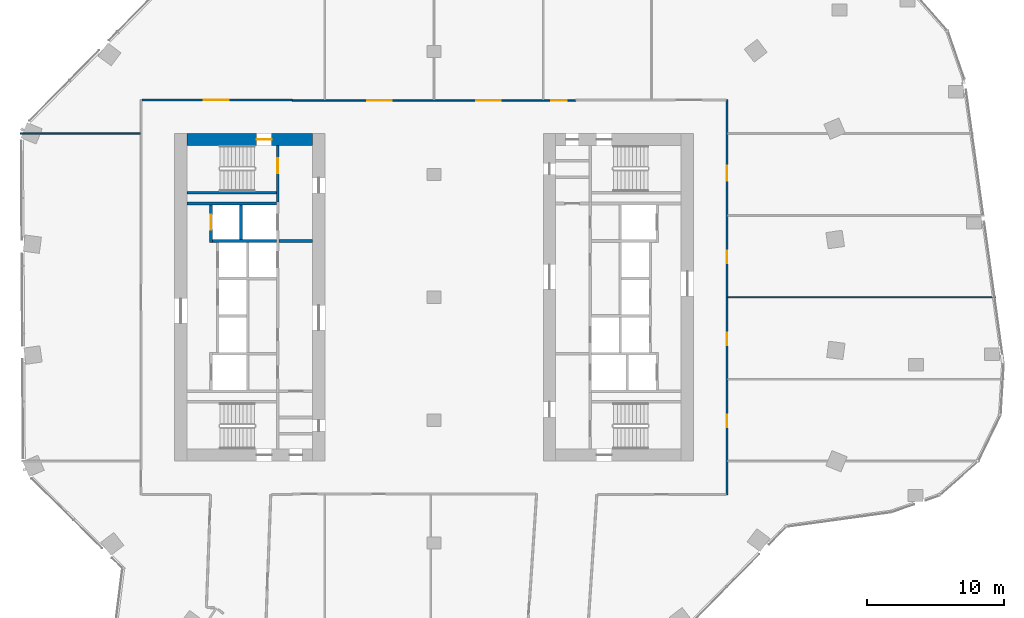
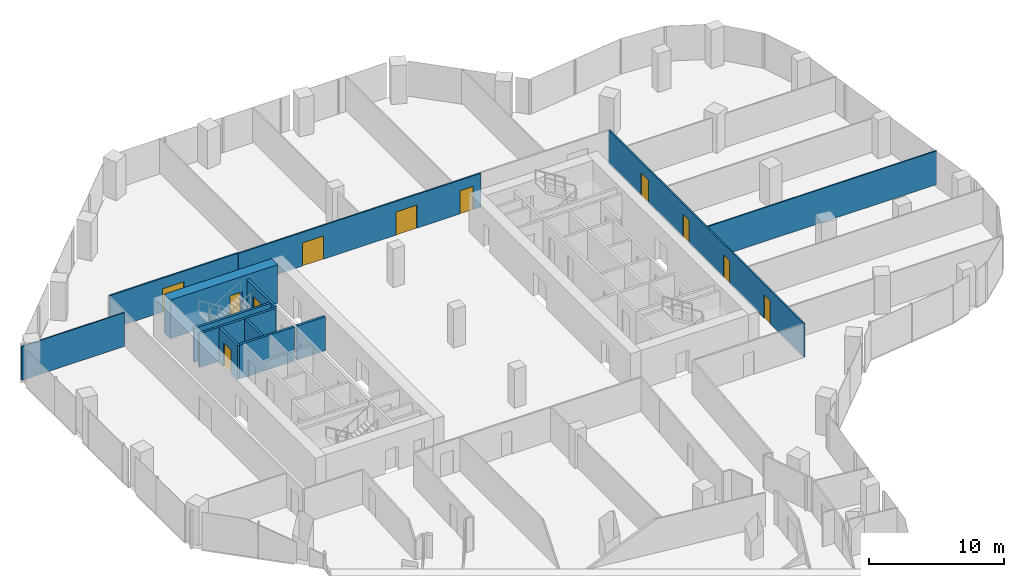
# One storey, part 22 of 27: 13 walls, 11 doors, 11 openings.
"""IFC4 building model written with IfcOpenShell, lengths in metres."""

from ifc_helpers import new_model, si_unit, direction, frame, frame_2d, origin, place, context, subcontext, project, spatial, rectangle, extrude, material, layer, layer_set, type_object, element, fill, save


model = new_model("IFC4")

# Units and contexts
model_context = context("Model", 3, precision=1e-05, world=origin(), true_north=direction((0.0, 1.0)))
body_context = subcontext(model_context, "Body", "Model", "MODEL_VIEW")
ifc_project = project(units=[si_unit("LENGTHUNIT", "METRE"), si_unit("AREAUNIT", "SQUARE_METRE"), si_unit("VOLUMEUNIT", "CUBIC_METRE"), si_unit("PLANEANGLEUNIT", "RADIAN"), si_unit("MASSUNIT", "GRAM", prefix="KILO")], contexts=[model_context])

# Site, building, storey
site_placement = place(None, origin())
site = spatial("IfcSite", under=ifc_project, at=site_placement, CompositionType="ELEMENT")
building_placement = place(site_placement, origin())
building = spatial("IfcBuilding", under=site, at=building_placement, Name="Orlundy Tower", CompositionType="ELEMENT")
storey_placement = place(building_placement, frame((0.0, 0.0, 192.10009765625)))
storey = spatial("IfcBuildingStorey", under=building, at=storey_placement, Name="L50", CompositionType="ELEMENT", Elevation=192.10009765625)

# Wall, opening, door
ifc_material_1 = material(Name="Concrete C70/85", Category="concrete")
ifc_layer_1 = layer(ifc_material_1, 0.89990234375)
ifc_layer_set_1 = layer_set([ifc_layer_1], Name="CORE WALL 900 C70/85")
wall_type_1 = type_object("IfcWallType", Name="CORE WALL 900 C70/85", PredefinedType="SHEAR", material=ifc_layer_set_1)
wall_1_placement = place(storey_placement, frame((-18.10009765625, 11.550048828125, 0.0), z_axis=(0.0, 0.0, 1.0), x_axis=(1.0, 0.0, 0.0)))
wall_1 = element("IfcWall", 1, at=wall_1_placement, inside=storey, type_object=wall_type_1, Name="Core wall W-N L50", PredefinedType="SHEAR", context=body_context, shape_type="SweptSolid", body=[
    extrude(rectangle(XDim=9.2001953125, YDim=0.89990234375, at=frame_2d((4.60009765625, 0.0))), origin(), (0.0, 0.0, 1.0), 3.5),
])
opening_1_placement = place(wall_1_placement, frame((5.10009765625, 0.0, 0.0)))
opening_1 = element("IfcOpeningElement", 2, at=opening_1_placement, cuts=wall_1, Name="Opening 39012", PredefinedType="OPENING", context=body_context, shape_type="SweptSolid", body=[
    extrude(rectangle(XDim=1.10009765625, YDim=2.10009765625, at=frame_2d((0.550048828125, 1.050048828125))), frame((0.0, 0.4599609375, 0.0), z_axis=(0.0, -1.0, 0.0), x_axis=(1.0, 0.0, 0.0)), (0.0, 0.0, 1.0), 0.919921875),
])
ifc_material_2 = material(Name="Steel door set", Category="steel")
door_type_1 = type_object("IfcDoorType", Name="Stair Door 1100x2100", OperationType="SINGLE_SWING_LEFT", PredefinedType="DOOR", material=ifc_material_2)
door_1_placement = place(opening_1_placement, origin())
door_1 = element("IfcDoor", 3, at=door_1_placement, inside=storey, type_object=door_type_1, Name="Stair door 39012", OperationType="SINGLE_SWING_RIGHT", OverallHeight=2.10009765625, OverallWidth=1.10009765625, PredefinedType="DOOR", context=body_context, shape_type="SweptSolid", body=[
    extrude(rectangle(XDim=1.10009765625, YDim=2.10009765625, at=frame_2d((0.550048828125, 1.050048828125))), frame((0.0, 0.02490234375, 0.0), z_axis=(0.0, -1.0, 0.0), x_axis=(1.0, 0.0, 0.0)), (0.0, 0.0, 1.0), 0.050048828125),
])
fill(opening_1, door_1)

# Walls
ifc_material_3 = material(Name="Gypsum board partition")
ifc_layer_2 = layer(ifc_material_3, 0.10009765625)
ifc_layer_set_2 = layer_set([ifc_layer_2], Name="Floor partition 100")
wall_type_2 = type_object("IfcWallType", Name="Floor partition 100", PredefinedType="PARTITIONING", material=ifc_layer_set_2)
wall_2_placement = place(storey_placement, frame((21.511962890625, 0.0, 0.0), z_axis=(0.0, 0.0, 1.0), x_axis=(1.0, 0.0, 0.0)))
element("IfcWall", 4, at=wall_2_placement, inside=storey, type_object=wall_type_2, Name="wall-int-L50-036", PredefinedType="PARTITIONING", context=body_context, shape_type="SweptSolid", body=[
    extrude(rectangle(XDim=19.6220703125, YDim=0.10009765625, at=frame_2d((9.81103515625, 0.0))), origin(), (0.0, 0.0, 1.0), 3.059814453125),
])
wall_3_placement = place(storey_placement, frame((-30.321044921875, 12.0, 0.0), z_axis=(0.0, 0.0, 1.0), x_axis=(1.0, 0.0, 0.0)))
element("IfcWall", 5, at=wall_3_placement, inside=storey, type_object=wall_type_2, Name="wall-int-L50-038", PredefinedType="PARTITIONING", context=body_context, shape_type="SweptSolid", body=[
    extrude(rectangle(XDim=8.80908203125, YDim=0.10009765625, at=frame_2d((4.404541015625, 0.0))), origin(), (0.0, 0.0, 1.0), 3.059814453125),
])

# Wall, openings, doors
ifc_material_4 = material(Name="Gypsum board partition, double layer")
ifc_layer_3 = layer(ifc_material_4, 0.125)
ifc_layer_set_3 = layer_set([ifc_layer_3], Name="Floor partition 125")
wall_type_3 = type_object("IfcWallType", Name="Floor partition 125", PredefinedType="PARTITIONING", material=ifc_layer_set_3)
wall_4_placement = place(storey_placement, frame((-10.389892578125, 14.40087890625, 0.0), z_axis=(0.0, 0.0, 1.0), x_axis=(1.0, 0.0, 0.0)))
wall_4 = element("IfcWall", 6, at=wall_4_placement, inside=storey, type_object=wall_type_3, Name="wall-int-L50-040", PredefinedType="PARTITIONING", context=body_context, shape_type="SweptSolid", body=[
    extrude(rectangle(XDim=20.781005859375, YDim=0.125, at=frame_2d((10.390625, 0.0))), origin(), (0.0, 0.0, 1.0), 3.059814453125),
])
opening_2_placement = place(wall_4_placement, frame((18.989990234375, 0.0, 0.0)))
opening_2 = element("IfcOpeningElement", 7, at=opening_2_placement, cuts=wall_4, Name="Opening 39123", PredefinedType="OPENING", context=body_context, shape_type="SweptSolid", body=[
    extrude(rectangle(XDim=1.10009765625, YDim=2.10009765625, at=frame_2d((0.550048828125, 1.050048828125))), frame((0.0, 0.072509765625, 0.0), z_axis=(0.0, -1.0, 0.0), x_axis=(1.0, 0.0, 0.0)), (0.0, 0.0, 1.0), 0.14501953125),
])
opening_3_placement = place(wall_4_placement, frame((13.489990234375, 0.0, 0.0)))
opening_3 = element("IfcOpeningElement", 8, at=opening_3_placement, cuts=wall_4, Name="Opening 39124", PredefinedType="OPENING", context=body_context, shape_type="SweptSolid", body=[
    extrude(rectangle(XDim=1.800048828125, YDim=2.10009765625, at=frame_2d((0.89990234375, 1.050048828125))), frame((0.0, 0.072509765625, 0.0), z_axis=(0.0, -1.0, 0.0), x_axis=(1.0, 0.0, 0.0)), (0.0, 0.0, 1.0), 0.14501953125),
])
opening_4_placement = place(wall_4_placement, frame((5.489990234375, 0.0, 0.0)))
opening_4 = element("IfcOpeningElement", 9, at=opening_4_placement, cuts=wall_4, Name="Opening 39125", PredefinedType="OPENING", context=body_context, shape_type="SweptSolid", body=[
    extrude(rectangle(XDim=1.800048828125, YDim=2.10009765625, at=frame_2d((0.89990234375, 1.050048828125))), frame((0.0, 0.072509765625, 0.0), z_axis=(0.0, -1.0, 0.0), x_axis=(1.0, 0.0, 0.0)), (0.0, 0.0, 1.0), 0.14501953125),
])
ifc_material_5 = material(Name="Timber door leaf", Category="wood")
door_type_2 = type_object("IfcDoorType", Name="Floor door double 1800 FD30S", OperationType="NOTDEFINED", PredefinedType="DOOR", material=ifc_material_5)
door_2_placement = place(opening_3_placement, origin())
door_2 = element("IfcDoor", 10, at=door_2_placement, inside=storey, type_object=door_type_2, Name="Door 39124", OperationType="DOUBLE_DOOR_SINGLE_SWING", OverallHeight=2.10009765625, OverallWidth=1.800048828125, PredefinedType="DOOR", context=body_context, shape_type="SweptSolid", body=[
    extrude(rectangle(XDim=1.800048828125, YDim=2.10009765625, at=frame_2d((0.89990234375, 1.050048828125))), frame((0.0, 0.02490234375, 0.0), z_axis=(0.0, -1.0, 0.0), x_axis=(1.0, 0.0, 0.0)), (0.0, 0.0, 1.0), 0.050048828125),
])
fill(opening_3, door_2)
door_3_placement = place(opening_4_placement, origin())
door_3 = element("IfcDoor", 11, at=door_3_placement, inside=storey, type_object=door_type_2, Name="Door 39125", OperationType="DOUBLE_DOOR_SINGLE_SWING", OverallHeight=2.10009765625, OverallWidth=1.800048828125, PredefinedType="DOOR", context=body_context, shape_type="SweptSolid", body=[
    extrude(rectangle(XDim=1.800048828125, YDim=2.10009765625, at=frame_2d((0.89990234375, 1.050048828125))), frame((0.0, 0.02490234375, 0.0), z_axis=(0.0, -1.0, 0.0), x_axis=(1.0, 0.0, 0.0)), (0.0, 0.0, 1.0), 0.050048828125),
])
fill(opening_4, door_3)
ifc_material_6 = material(Name="Timber door leaf", Category="wood")
door_type_3 = type_object("IfcDoorType", Name="Floor door xwide 1100 FD30S", OperationType="NOTDEFINED", PredefinedType="DOOR", material=ifc_material_6)
door_4_placement = place(opening_2_placement, origin())
door_4 = element("IfcDoor", 12, at=door_4_placement, inside=storey, type_object=door_type_3, Name="Door 39123", OperationType="SINGLE_SWING_RIGHT", OverallHeight=2.10009765625, OverallWidth=1.10009765625, PredefinedType="DOOR", context=body_context, shape_type="SweptSolid", body=[
    extrude(rectangle(XDim=1.10009765625, YDim=2.10009765625, at=frame_2d((0.550048828125, 1.050048828125))), frame((0.0, 0.02490234375, 0.0), z_axis=(0.0, -1.0, 0.0), x_axis=(1.0, 0.0, 0.0)), (0.0, 0.0, 1.0), 0.050048828125),
])
fill(opening_2, door_4)

# Wall, opening, door
wall_5_placement = place(storey_placement, frame((-21.386962890625, 14.450927734375, 0.0), z_axis=(0.0, 0.0, 1.0), x_axis=(1.0, 0.0, 0.0)))
wall_5 = element("IfcWall", 13, at=wall_5_placement, inside=storey, type_object=wall_type_3, Name="wall-int-L50-041", PredefinedType="PARTITIONING", context=body_context, shape_type="SweptSolid", body=[
    extrude(rectangle(XDim=10.995849609375, YDim=0.125, at=frame_2d((5.498046875, 0.0))), origin(), (0.0, 0.0, 1.0), 3.059814453125),
])
opening_5_placement = place(wall_5_placement, frame((4.53759765625, 0.0, 0.0)))
opening_5 = element("IfcOpeningElement", 14, at=opening_5_placement, cuts=wall_5, Name="Opening 39126", PredefinedType="OPENING", context=body_context, shape_type="SweptSolid", body=[
    extrude(rectangle(XDim=1.800048828125, YDim=2.10009765625, at=frame_2d((0.89990234375, 1.050048828125))), frame((0.0, 0.072509765625, 0.0), z_axis=(0.0, -1.0, 0.0), x_axis=(1.0, 0.0, 0.0)), (0.0, 0.0, 1.0), 0.14501953125),
])
door_5_placement = place(opening_5_placement, origin())
door_5 = element("IfcDoor", 15, at=door_5_placement, inside=storey, type_object=door_type_2, Name="Door 39126", OperationType="DOUBLE_DOOR_SINGLE_SWING", OverallHeight=2.10009765625, OverallWidth=1.800048828125, PredefinedType="DOOR", context=body_context, shape_type="SweptSolid", body=[
    extrude(rectangle(XDim=1.800048828125, YDim=2.10009765625, at=frame_2d((0.89990234375, 1.050048828125))), frame((0.0, 0.02490234375, 0.0), z_axis=(0.0, -1.0, 0.0), x_axis=(1.0, 0.0, 0.0)), (0.0, 0.0, 1.0), 0.050048828125),
])
fill(opening_5, door_5)

# Wall, openings, doors
wall_6_placement = place(storey_placement, frame((21.449951171875, 14.450927734375, 0.0), z_axis=(0.0, 0.0, 1.0), x_axis=(0.0, -1.0, 0.0)))
wall_6 = element("IfcWall", 16, at=wall_6_placement, inside=storey, type_object=wall_type_3, Name="wall-int-L50-067", PredefinedType="PARTITIONING", context=body_context, shape_type="SweptSolid", body=[
    extrude(rectangle(XDim=28.90185546875, YDim=0.125, at=frame_2d((14.450927734375, 0.0))), origin(), (0.0, 0.0, 1.0), 3.059814453125),
])
opening_6_placement = place(wall_6_placement, frame((23.051025390625, 0.0, 0.0)))
opening_6 = element("IfcOpeningElement", 17, at=opening_6_placement, cuts=wall_6, Name="Opening 39118", PredefinedType="OPENING", context=body_context, shape_type="SweptSolid", body=[
    extrude(rectangle(XDim=0.89990234375, YDim=2.10009765625, at=frame_2d((0.449951171875, 1.050048828125))), frame((0.0, 0.072509765625, 0.0), z_axis=(0.0, -1.0, 0.0), x_axis=(1.0, 0.0, 0.0)), (0.0, 0.0, 1.0), 0.14501953125),
])
opening_7_placement = place(wall_6_placement, frame((17.051025390625, 0.0, 0.0)))
opening_7 = element("IfcOpeningElement", 18, at=opening_7_placement, cuts=wall_6, Name="Opening 39119", PredefinedType="OPENING", context=body_context, shape_type="SweptSolid", body=[
    extrude(rectangle(XDim=0.89990234375, YDim=2.10009765625, at=frame_2d((0.449951171875, 1.050048828125))), frame((0.0, 0.072509765625, 0.0), z_axis=(0.0, -1.0, 0.0), x_axis=(1.0, 0.0, 0.0)), (0.0, 0.0, 1.0), 0.14501953125),
])
opening_8_placement = place(wall_6_placement, frame((11.051025390625, 0.0, 0.0)))
opening_8 = element("IfcOpeningElement", 19, at=opening_8_placement, cuts=wall_6, Name="Opening 39120", PredefinedType="OPENING", context=body_context, shape_type="SweptSolid", body=[
    extrude(rectangle(XDim=0.89990234375, YDim=2.10009765625, at=frame_2d((0.449951171875, 1.050048828125))), frame((0.0, 0.072509765625, 0.0), z_axis=(0.0, -1.0, 0.0), x_axis=(1.0, 0.0, 0.0)), (0.0, 0.0, 1.0), 0.14501953125),
])
opening_9_placement = place(wall_6_placement, frame((4.801025390625, 0.0, 0.0)))
opening_9 = element("IfcOpeningElement", 20, at=opening_9_placement, cuts=wall_6, Name="Opening 39121", PredefinedType="OPENING", context=body_context, shape_type="SweptSolid", body=[
    extrude(rectangle(XDim=1.10009765625, YDim=2.10009765625, at=frame_2d((0.550048828125, 1.050048828125))), frame((0.0, 0.072509765625, 0.0), z_axis=(0.0, -1.0, 0.0), x_axis=(1.0, 0.0, 0.0)), (0.0, 0.0, 1.0), 0.14501953125),
])
ifc_material_7 = material(Name="Timber door leaf", Category="wood")
door_type_4 = type_object("IfcDoorType", Name="Floor door single 900 FD30S", OperationType="NOTDEFINED", PredefinedType="DOOR", material=ifc_material_7)
door_6_placement = place(opening_6_placement, origin())
door_6 = element("IfcDoor", 21, at=door_6_placement, inside=storey, type_object=door_type_4, Name="Door 39118", OperationType="SINGLE_SWING_RIGHT", OverallHeight=2.10009765625, OverallWidth=0.89990234375, PredefinedType="DOOR", context=body_context, shape_type="SweptSolid", body=[
    extrude(rectangle(XDim=0.89990234375, YDim=2.10009765625, at=frame_2d((0.449951171875, 1.050048828125))), frame((0.0, 0.02490234375, 0.0), z_axis=(0.0, -1.0, 0.0), x_axis=(1.0, 0.0, 0.0)), (0.0, 0.0, 1.0), 0.050048828125),
])
fill(opening_6, door_6)
door_7_placement = place(opening_7_placement, origin())
door_7 = element("IfcDoor", 22, at=door_7_placement, inside=storey, type_object=door_type_4, Name="Door 39119", OperationType="SINGLE_SWING_RIGHT", OverallHeight=2.10009765625, OverallWidth=0.89990234375, PredefinedType="DOOR", context=body_context, shape_type="SweptSolid", body=[
    extrude(rectangle(XDim=0.89990234375, YDim=2.10009765625, at=frame_2d((0.449951171875, 1.050048828125))), frame((0.0, 0.02490234375, 0.0), z_axis=(0.0, -1.0, 0.0), x_axis=(1.0, 0.0, 0.0)), (0.0, 0.0, 1.0), 0.050048828125),
])
fill(opening_7, door_7)
door_8_placement = place(opening_8_placement, origin())
door_8 = element("IfcDoor", 23, at=door_8_placement, inside=storey, type_object=door_type_4, Name="Door 39120", OperationType="SINGLE_SWING_LEFT", OverallHeight=2.10009765625, OverallWidth=0.89990234375, PredefinedType="DOOR", context=body_context, shape_type="SweptSolid", body=[
    extrude(rectangle(XDim=0.89990234375, YDim=2.10009765625, at=frame_2d((0.449951171875, 1.050048828125))), frame((0.0, 0.02490234375, 0.0), z_axis=(0.0, -1.0, 0.0), x_axis=(1.0, 0.0, 0.0)), (0.0, 0.0, 1.0), 0.050048828125),
])
fill(opening_8, door_8)
door_9_placement = place(opening_9_placement, origin())
door_9 = element("IfcDoor", 24, at=door_9_placement, inside=storey, type_object=door_type_3, Name="Door 39121", OperationType="SINGLE_SWING_LEFT", OverallHeight=2.10009765625, OverallWidth=1.10009765625, PredefinedType="DOOR", context=body_context, shape_type="SweptSolid", body=[
    extrude(rectangle(XDim=1.10009765625, YDim=2.10009765625, at=frame_2d((0.550048828125, 1.050048828125))), frame((0.0, 0.02490234375, 0.0), z_axis=(0.0, -1.0, 0.0), x_axis=(1.0, 0.0, 0.0)), (0.0, 0.0, 1.0), 0.050048828125),
])
fill(opening_9, door_9)

# Wall, opening, door
ifc_material_8 = material(Name="Concrete C40/50", Category="concrete")
ifc_layer_4 = layer(ifc_material_8, 0.199951171875)
ifc_layer_set_4 = layer_set([ifc_layer_4], Name="Load-bearing Shaft Wall 200")
wall_type_4 = type_object("IfcWallType", Name="Load-bearing Shaft Wall 200", PredefinedType="SOLIDWALL", material=ifc_layer_set_4)
wall_7_placement = place(storey_placement, frame((-11.43994140625, 6.97509765625, 0.0), z_axis=(0.0, 0.0, 1.0), x_axis=(0.0, 1.0, 0.0)))
wall_7 = element("IfcWall", 25, at=wall_7_placement, inside=storey, type_object=wall_type_4, Name="Shaft wall W39-stair-end-n", PredefinedType="SOLIDWALL", context=body_context, shape_type="SweptSolid", body=[
    extrude(rectangle(XDim=4.125, YDim=0.199951171875, at=frame_2d((2.0625, 0.0))), origin(), (0.0, 0.0, 1.0), 3.079833984375),
])
opening_10_placement = place(wall_7_placement, frame((2.10009765625, 0.0, 0.0)))
opening_10 = element("IfcOpeningElement", 26, at=opening_10_placement, cuts=wall_7, Name="Opening 39014", PredefinedType="OPENING", context=body_context, shape_type="SweptSolid", body=[
    extrude(rectangle(XDim=1.10009765625, YDim=2.10009765625, at=frame_2d((0.550048828125, 1.050048828125))), frame((0.0, 0.110107421875, 0.0), z_axis=(0.0, -1.0, 0.0), x_axis=(1.0, 0.0, 0.0)), (0.0, 0.0, 1.0), 0.22021484375),
])
ifc_material_9 = material(Name="Steel door set", Category="steel")
door_type_5 = type_object("IfcDoorType", Name="Fire-fighting Lobby Door 1100x2100", OperationType="SINGLE_SWING_LEFT", PredefinedType="DOOR", material=ifc_material_9)
door_10_placement = place(opening_10_placement, origin())
door_10 = element("IfcDoor", 27, at=door_10_placement, inside=storey, type_object=door_type_5, Name="Fire-fighting lobby to stair door 39014", OperationType="SINGLE_SWING_RIGHT", OverallHeight=2.10009765625, OverallWidth=1.10009765625, PredefinedType="DOOR", context=body_context, shape_type="SweptSolid", body=[
    extrude(rectangle(XDim=1.10009765625, YDim=2.10009765625, at=frame_2d((0.550048828125, 1.050048828125))), frame((0.0, 0.02490234375, 0.0), z_axis=(0.0, -1.0, 0.0), x_axis=(1.0, 0.0, 0.0)), (0.0, 0.0, 1.0), 0.050048828125),
])
fill(opening_10, door_10)

# Walls
wall_8_placement = place(storey_placement, frame((-11.5400390625, 7.64990234375, 0.0), z_axis=(0.0, 0.0, 1.0), x_axis=(-1.0, 0.0, 0.0)))
element("IfcWall", 28, at=wall_8_placement, inside=storey, type_object=wall_type_4, Name="Shaft wall W39-stair-side-n", PredefinedType="SOLIDWALL", context=body_context, shape_type="SweptSolid", body=[
    extrude(rectangle(XDim=6.56005859375, YDim=0.199951171875, at=frame_2d((3.280029296875, 0.0))), origin(), (0.0, 0.0, 1.0), 3.079833984375),
])
ifc_material_10 = material(Name="Gypsum board partition on steel studs", Category="steel")
ifc_layer_5 = layer(ifc_material_10, 0.199951171875)
ifc_layer_set_5 = layer_set([ifc_layer_5], Name="Partition 200")
wall_type_5 = type_object("IfcWallType", Name="Partition 200", PredefinedType="PARTITIONING", material=ifc_layer_set_5)
wall_9_placement = place(storey_placement, frame((-8.89990234375, 4.125, 0.0), z_axis=(0.0, 0.0, 1.0), x_axis=(-1.0, 0.0, 0.0)))
element("IfcWall", 29, at=wall_9_placement, inside=storey, type_object=wall_type_5, Name="Partition wall W39-lobby-n", PredefinedType="PARTITIONING", context=body_context, shape_type="SweptSolid", body=[
    extrude(rectangle(XDim=2.440185546875, YDim=0.199951171875, at=frame_2d((1.22021484375, 0.0))), origin(), (0.0, 0.0, 1.0), 3.079833984375),
])
ifc_material_11 = material(Name="Fire-rated blockwork shaft wall", Category="masonry")
ifc_layer_6 = layer(ifc_material_11, 0.199951171875)
ifc_layer_set_6 = layer_set([ifc_layer_6], Name="Shaft Wall 200")
wall_type_6 = type_object("IfcWallType", Name="Shaft Wall 200", PredefinedType="SOLIDWALL", material=ifc_layer_set_6)
wall_10_placement = place(storey_placement, frame((-11.5400390625, 6.875, 0.0), z_axis=(0.0, 0.0, 1.0), x_axis=(-1.0, 0.0, 0.0)))
element("IfcWall", 30, at=wall_10_placement, inside=storey, type_object=wall_type_6, Name="Shaft wall W39-zone-n", PredefinedType="SOLIDWALL", context=body_context, shape_type="SweptSolid", body=[
    extrude(rectangle(XDim=6.56005859375, YDim=0.199951171875, at=frame_2d((3.280029296875, 0.0))), origin(), (0.0, 0.0, 1.0), 3.079833984375),
])
wall_11_placement = place(storey_placement, frame((-11.5400390625, 4.125, 0.0), z_axis=(0.0, 0.0, 1.0), x_axis=(-1.0, 0.0, 0.0)))
element("IfcWall", 31, at=wall_11_placement, inside=storey, type_object=wall_type_6, Name="Shaft wall W39-cross+4.125", PredefinedType="SOLIDWALL", context=body_context, shape_type="SweptSolid", body=[
    extrude(rectangle(XDim=4.699951171875, YDim=0.199951171875, at=frame_2d((2.35009765625, 0.0))), origin(), (0.0, 0.0, 1.0), 3.079833984375),
])
wall_12_placement = place(storey_placement, frame((-14.139892578125, 4.22509765625, 0.0), z_axis=(0.0, 0.0, 1.0), x_axis=(0.0, 1.0, 0.0)))
element("IfcWall", 32, at=wall_12_placement, inside=storey, type_object=wall_type_6, Name="Shaft wall W39-mid-b", PredefinedType="SOLIDWALL", context=body_context, shape_type="SweptSolid", body=[
    extrude(rectangle(XDim=2.5498046875, YDim=0.199951171875, at=frame_2d((1.27490234375, 0.0))), origin(), (0.0, 0.0, 1.0), 3.079833984375),
])

# Wall, opening, door
wall_13_placement = place(storey_placement, frame((-16.340087890625, 4.02490234375, 0.0), z_axis=(0.0, 0.0, 1.0), x_axis=(0.0, 1.0, 0.0)))
wall_13 = element("IfcWall", 33, at=wall_13_placement, inside=storey, type_object=wall_type_6, Name="Shaft wall W39-front-o-c", PredefinedType="SOLIDWALL", context=body_context, shape_type="SweptSolid", body=[
    extrude(rectangle(XDim=2.75, YDim=0.199951171875, at=frame_2d((1.375, 0.0))), origin(), (0.0, 0.0, 1.0), 3.079833984375),
])
opening_11_placement = place(wall_13_placement, frame((0.925048828125, 0.0, 0.0)))
opening_11 = element("IfcOpeningElement", 34, at=opening_11_placement, cuts=wall_13, Name="Opening 39006", PredefinedType="OPENING", context=body_context, shape_type="SweptSolid", body=[
    extrude(rectangle(XDim=1.10009765625, YDim=2.10009765625, at=frame_2d((0.550048828125, 1.050048828125))), frame((0.0, 0.110107421875, 0.0), z_axis=(0.0, -1.0, 0.0), x_axis=(1.0, 0.0, 0.0)), (0.0, 0.0, 1.0), 0.22021484375),
])
ifc_material_12 = material(Name="Steel door set", Category="steel")
door_type_6 = type_object("IfcDoorType", Name="Landing Door 1100x2100", OperationType="DOUBLE_DOOR_SLIDING", PredefinedType="DOOR", material=ifc_material_12)
door_11_placement = place(opening_11_placement, origin())
door_11 = element("IfcDoor", 35, at=door_11_placement, inside=storey, type_object=door_type_6, Name="Lift landing door LP-14 39006", OperationType="DOUBLE_DOOR_SLIDING", OverallHeight=2.10009765625, OverallWidth=1.10009765625, PredefinedType="DOOR", context=body_context, shape_type="SweptSolid", body=[
    extrude(rectangle(XDim=1.10009765625, YDim=2.10009765625, at=frame_2d((0.550048828125, 1.050048828125))), frame((0.0, 0.02490234375, 0.0), z_axis=(0.0, -1.0, 0.0), x_axis=(1.0, 0.0, 0.0)), (0.0, 0.0, 1.0), 0.050048828125),
])
fill(opening_11, door_11)

save(model, "model.ifc")
